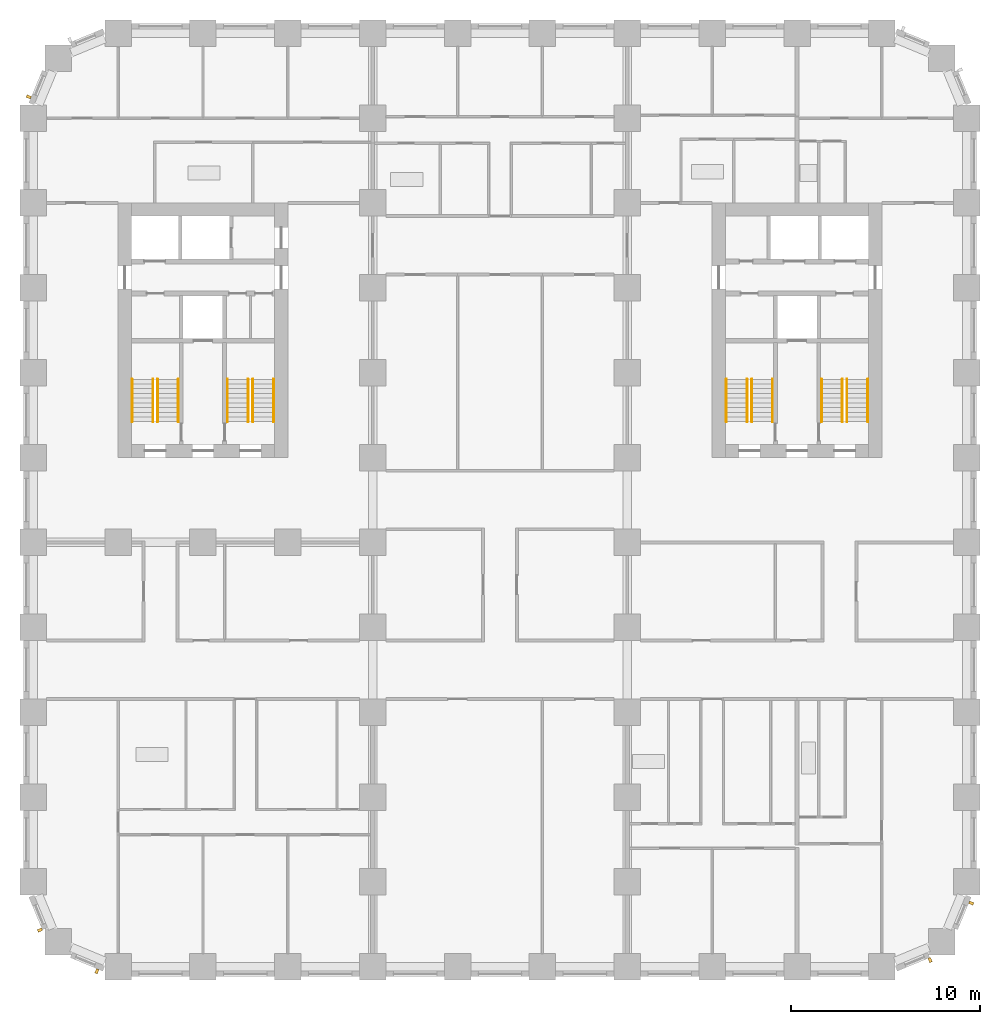
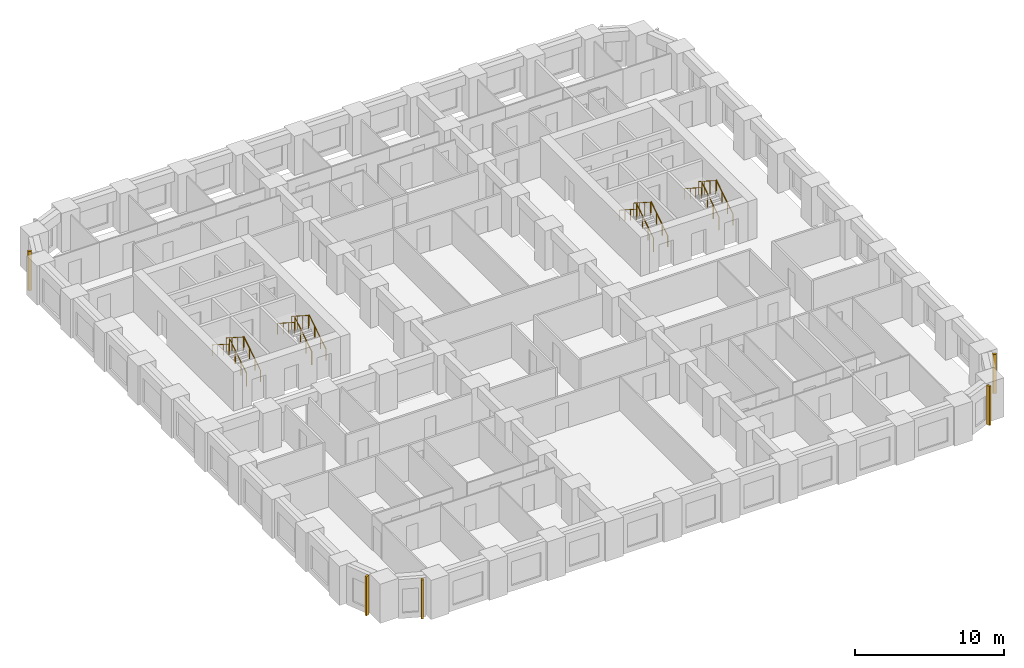
# One storey, part 11 of 13: 16 railings, 5 shading devices.
"""IFC4 building model written with IfcOpenShell, lengths in metres."""

from ifc_helpers import new_model, si_unit, direction, frame, origin, origin_2d, place, context, subcontext, project, spatial, rectangle, circle, extrude, material, type_object, element, save


model = new_model("IFC4")

# Units and contexts
model_context = context("Model", 3, precision=1e-05, world=origin(), true_north=direction((0.0, 1.0)))
body_context = subcontext(model_context, "Body", "Model", "MODEL_VIEW")
ifc_project = project(units=[si_unit("LENGTHUNIT", "METRE"), si_unit("AREAUNIT", "SQUARE_METRE"), si_unit("VOLUMEUNIT", "CUBIC_METRE"), si_unit("PLANEANGLEUNIT", "RADIAN"), si_unit("MASSUNIT", "GRAM", prefix="KILO")], contexts=[model_context])

# Site, building, storey
site_placement = place(None, origin())
site = spatial("IfcSite", under=ifc_project, at=site_placement, CompositionType="ELEMENT")
building_placement = place(site_placement, origin())
building = spatial("IfcBuilding", under=site, at=building_placement, Name="Girih Gate Residences", CompositionType="ELEMENT")
storey_placement = place(building_placement, frame((0.0, 0.0, 49.60009765625)))
storey = spatial("IfcBuildingStorey", under=building, at=storey_placement, Name="L12", CompositionType="ELEMENT", Elevation=49.60009765625)

# Shading devices
ifc_material_1 = material(Name="Precast concrete C50/60", Category="concrete")
shading_device_type = type_object("IfcShadingDeviceType", Name="Corner rib 150x250", PredefinedType="USERDEFINED", material=ifc_material_1)
for number, where, z_axis, x_axis, name in (
    (1, (0.35498046875, 1.9443359375, 0.0), (0.0, 0.0, 1.0), (0.382683432365, -0.923879532511, 0.0), "Corner rib SW0000_0045.0"),
    (2, (3.376220703125, -0.238037109375, 0.0), (0.0, 0.0, 1.0), (0.923879532511, -0.382683432365, 0.0), "Corner rib SW0013_0013.0"),
    (3, (47.5556640625, 0.35498046875, 0.0), (0.0, 0.0, 1.0), (0.923879532511, 0.382683432365, 0.0), "Corner rib SE0450_0000.0"),
    (4, (49.738037109375, 3.376220703125, 0.0), (0.0, 0.0, 1.0), (0.382683432365, 0.923879532511, 0.0), "Corner rib SE0482_0013.0"),
    (5, (-0.238037109375, 46.123779296875, 0.0), (0.0, 0.0, 1.0), (-0.382683432365, -0.923879532511, 0.0), "Corner rib NW0013_0482.0"),
):
    element("IfcShadingDevice", number, at=place(storey_placement, frame(where, z_axis=z_axis, x_axis=x_axis)), inside=storey, type_object=shading_device_type, Name=name, ObjectType="FIN", PredefinedType="USERDEFINED", context=body_context, shape_type="SweptSolid", body=[
        extrude(rectangle(XDim=0.14990234375, YDim=0.25, at=origin_2d()), origin(), (0.0, 0.0, 1.0), 3.199951171875),
    ])

# Railings
ifc_material_2 = material(Name="Stainless steel", Category="steel")
railing_type_1 = type_object("IfcRailingType", Name="Stair guard 1100", PredefinedType="GUARDRAIL", material=ifc_material_2)
railing_1_placement = place(storey_placement, frame((6.60009765625, 28.89990234375, 0.159912109375)))
element("IfcRailing", 6, at=railing_1_placement, inside=storey, type_object=railing_type_1, Name="L12 ST-W1 stair guard 1", PredefinedType="GUARDRAIL", context=body_context, shape_type="SweptSolid", body=[
    extrude(circle(Radius=0.02392578125, at=origin_2d()), frame((0.0, 0.0, 1.076171875), z_axis=(0.0, 0.842281359387, 0.539038135598), x_axis=(-1.0, 0.0, 0.0)), (0.0, 0.0, 1.0), 2.67138671875),
    extrude(circle(Radius=0.02099609375, at=origin_2d()), origin(), (0.0, 0.0, 1.0), 1.052001953125),
    extrude(circle(Radius=0.02099609375, at=origin_2d()), frame((0.0, 0.75, 0.47998046875)), (0.0, 0.0, 1.0), 1.052001953125),
    extrude(circle(Radius=0.02099609375, at=origin_2d()), frame((0.0, 1.5, 0.9599609375)), (0.0, 0.0, 1.0), 1.052001953125),
    extrude(circle(Radius=0.02099609375, at=origin_2d()), frame((0.0, 2.25, 1.43994140625)), (0.0, 0.0, 1.0), 1.052001953125),
])
railing_2_placement = place(storey_placement, frame((6.35009765625, 31.14990234375, 1.760009765625)))
element("IfcRailing", 7, at=railing_2_placement, inside=storey, type_object=railing_type_1, Name="L12 ST-W1 stair guard 2", PredefinedType="GUARDRAIL", context=body_context, shape_type="SweptSolid", body=[
    extrude(circle(Radius=0.02392578125, at=origin_2d()), frame((0.0, 0.0, 1.076171875), z_axis=(0.0, -0.842281359387, 0.539038135598), x_axis=(1.0, 0.0, 0.0)), (0.0, 0.0, 1.0), 2.67138671875),
    extrude(circle(Radius=0.02099609375, at=origin_2d()), origin(), (0.0, 0.0, 1.0), 1.052001953125),
    extrude(circle(Radius=0.02099609375, at=origin_2d()), frame((0.0, -0.75, 0.47998046875)), (0.0, 0.0, 1.0), 1.052001953125),
    extrude(circle(Radius=0.02099609375, at=origin_2d()), frame((0.0, -1.5, 0.9599609375)), (0.0, 0.0, 1.0), 1.052001953125),
    extrude(circle(Radius=0.02099609375, at=origin_2d()), frame((0.0, -2.25, 1.43994140625)), (0.0, 0.0, 1.0), 1.052001953125),
])
railing_3_placement = place(storey_placement, frame((11.64990234375, 28.89990234375, 0.159912109375)))
element("IfcRailing", 8, at=railing_3_placement, inside=storey, type_object=railing_type_1, Name="L12 ST-W2 stair guard 1", PredefinedType="GUARDRAIL", context=body_context, shape_type="SweptSolid", body=[
    extrude(circle(Radius=0.02392578125, at=origin_2d()), frame((0.0, 0.0, 1.076171875), z_axis=(0.0, 0.842281359387, 0.539038135598), x_axis=(-1.0, 0.0, 0.0)), (0.0, 0.0, 1.0), 2.67138671875),
    extrude(circle(Radius=0.02099609375, at=origin_2d()), origin(), (0.0, 0.0, 1.0), 1.052001953125),
    extrude(circle(Radius=0.02099609375, at=origin_2d()), frame((0.0, 0.75, 0.47998046875)), (0.0, 0.0, 1.0), 1.052001953125),
    extrude(circle(Radius=0.02099609375, at=origin_2d()), frame((0.0, 1.5, 0.9599609375)), (0.0, 0.0, 1.0), 1.052001953125),
    extrude(circle(Radius=0.02099609375, at=origin_2d()), frame((0.0, 2.25, 1.43994140625)), (0.0, 0.0, 1.0), 1.052001953125),
])
railing_4_placement = place(storey_placement, frame((11.39990234375, 31.14990234375, 1.760009765625)))
element("IfcRailing", 9, at=railing_4_placement, inside=storey, type_object=railing_type_1, Name="L12 ST-W2 stair guard 2", PredefinedType="GUARDRAIL", context=body_context, shape_type="SweptSolid", body=[
    extrude(circle(Radius=0.02392578125, at=origin_2d()), frame((0.0, 0.0, 1.076171875), z_axis=(0.0, -0.842281359387, 0.539038135598), x_axis=(1.0, 0.0, 0.0)), (0.0, 0.0, 1.0), 2.67138671875),
    extrude(circle(Radius=0.02099609375, at=origin_2d()), origin(), (0.0, 0.0, 1.0), 1.052001953125),
    extrude(circle(Radius=0.02099609375, at=origin_2d()), frame((0.0, -0.75, 0.47998046875)), (0.0, 0.0, 1.0), 1.052001953125),
    extrude(circle(Radius=0.02099609375, at=origin_2d()), frame((0.0, -1.5, 0.9599609375)), (0.0, 0.0, 1.0), 1.052001953125),
    extrude(circle(Radius=0.02099609375, at=origin_2d()), frame((0.0, -2.25, 1.43994140625)), (0.0, 0.0, 1.0), 1.052001953125),
])
railing_5_placement = place(storey_placement, frame((43.14990234375, 28.89990234375, 0.159912109375)))
element("IfcRailing", 10, at=railing_5_placement, inside=storey, type_object=railing_type_1, Name="L12 ST-E1 stair guard 1", PredefinedType="GUARDRAIL", context=body_context, shape_type="SweptSolid", body=[
    extrude(circle(Radius=0.02392578125, at=origin_2d()), frame((0.0, 0.0, 1.076171875), z_axis=(0.0, 0.842281359387, 0.539038135598), x_axis=(-1.0, 0.0, 0.0)), (0.0, 0.0, 1.0), 2.67138671875),
    extrude(circle(Radius=0.02099609375, at=origin_2d()), origin(), (0.0, 0.0, 1.0), 1.052001953125),
    extrude(circle(Radius=0.02099609375, at=origin_2d()), frame((0.0, 0.75, 0.47998046875)), (0.0, 0.0, 1.0), 1.052001953125),
    extrude(circle(Radius=0.02099609375, at=origin_2d()), frame((0.0, 1.5, 0.9599609375)), (0.0, 0.0, 1.0), 1.052001953125),
    extrude(circle(Radius=0.02099609375, at=origin_2d()), frame((0.0, 2.25, 1.43994140625)), (0.0, 0.0, 1.0), 1.052001953125),
])
railing_6_placement = place(storey_placement, frame((42.89990234375, 31.14990234375, 1.760009765625)))
element("IfcRailing", 11, at=railing_6_placement, inside=storey, type_object=railing_type_1, Name="L12 ST-E1 stair guard 2", PredefinedType="GUARDRAIL", context=body_context, shape_type="SweptSolid", body=[
    extrude(circle(Radius=0.02392578125, at=origin_2d()), frame((0.0, 0.0, 1.076171875), z_axis=(0.0, -0.842281359387, 0.539038135598), x_axis=(1.0, 0.0, 0.0)), (0.0, 0.0, 1.0), 2.67138671875),
    extrude(circle(Radius=0.02099609375, at=origin_2d()), origin(), (0.0, 0.0, 1.0), 1.052001953125),
    extrude(circle(Radius=0.02099609375, at=origin_2d()), frame((0.0, -0.75, 0.47998046875)), (0.0, 0.0, 1.0), 1.052001953125),
    extrude(circle(Radius=0.02099609375, at=origin_2d()), frame((0.0, -1.5, 0.9599609375)), (0.0, 0.0, 1.0), 1.052001953125),
    extrude(circle(Radius=0.02099609375, at=origin_2d()), frame((0.0, -2.25, 1.43994140625)), (0.0, 0.0, 1.0), 1.052001953125),
])
railing_7_placement = place(storey_placement, frame((38.10009765625, 28.89990234375, 0.159912109375)))
element("IfcRailing", 12, at=railing_7_placement, inside=storey, type_object=railing_type_1, Name="L12 ST-E2 stair guard 1", PredefinedType="GUARDRAIL", context=body_context, shape_type="SweptSolid", body=[
    extrude(circle(Radius=0.02392578125, at=origin_2d()), frame((0.0, 0.0, 1.076171875), z_axis=(0.0, 0.842281359387, 0.539038135598), x_axis=(-1.0, 0.0, 0.0)), (0.0, 0.0, 1.0), 2.67138671875),
    extrude(circle(Radius=0.02099609375, at=origin_2d()), origin(), (0.0, 0.0, 1.0), 1.052001953125),
    extrude(circle(Radius=0.02099609375, at=origin_2d()), frame((0.0, 0.75, 0.47998046875)), (0.0, 0.0, 1.0), 1.052001953125),
    extrude(circle(Radius=0.02099609375, at=origin_2d()), frame((0.0, 1.5, 0.9599609375)), (0.0, 0.0, 1.0), 1.052001953125),
    extrude(circle(Radius=0.02099609375, at=origin_2d()), frame((0.0, 2.25, 1.43994140625)), (0.0, 0.0, 1.0), 1.052001953125),
])
railing_8_placement = place(storey_placement, frame((37.85009765625, 31.14990234375, 1.760009765625)))
element("IfcRailing", 13, at=railing_8_placement, inside=storey, type_object=railing_type_1, Name="L12 ST-E2 stair guard 2", PredefinedType="GUARDRAIL", context=body_context, shape_type="SweptSolid", body=[
    extrude(circle(Radius=0.02392578125, at=origin_2d()), frame((0.0, 0.0, 1.076171875), z_axis=(0.0, -0.842281359387, 0.539038135598), x_axis=(1.0, 0.0, 0.0)), (0.0, 0.0, 1.0), 2.67138671875),
    extrude(circle(Radius=0.02099609375, at=origin_2d()), origin(), (0.0, 0.0, 1.0), 1.052001953125),
    extrude(circle(Radius=0.02099609375, at=origin_2d()), frame((0.0, -0.75, 0.47998046875)), (0.0, 0.0, 1.0), 1.052001953125),
    extrude(circle(Radius=0.02099609375, at=origin_2d()), frame((0.0, -1.5, 0.9599609375)), (0.0, 0.0, 1.0), 1.052001953125),
    extrude(circle(Radius=0.02099609375, at=origin_2d()), frame((0.0, -2.25, 1.43994140625)), (0.0, 0.0, 1.0), 1.052001953125),
])
railing_type_2 = type_object("IfcRailingType", Name="Stair handrail 900", PredefinedType="HANDRAIL", material=ifc_material_2)
railing_9_placement = place(storey_placement, frame((7.699951171875, 28.89990234375, 0.159912109375)))
element("IfcRailing", 14, at=railing_9_placement, inside=storey, type_object=railing_type_2, Name="L12 ST-W1 stair handrail 1", PredefinedType="HANDRAIL", context=body_context, shape_type="SweptSolid", body=[
    extrude(circle(Radius=0.02392578125, at=origin_2d()), frame((0.0, 0.0, 0.8857421875), z_axis=(0.0, 0.842281359387, 0.539038135598), x_axis=(-1.0, 0.0, 0.0)), (0.0, 0.0, 1.0), 2.67138671875),
    extrude(circle(Radius=0.02099609375, at=origin_2d()), origin(), (0.0, 0.0, 1.0), 0.86181640625),
    extrude(circle(Radius=0.02099609375, at=origin_2d()), frame((0.0, 0.75, 0.47998046875)), (0.0, 0.0, 1.0), 0.86181640625),
    extrude(circle(Radius=0.02099609375, at=origin_2d()), frame((0.0, 1.5, 0.9599609375)), (0.0, 0.0, 1.0), 0.86181640625),
    extrude(circle(Radius=0.02099609375, at=origin_2d()), frame((0.0, 2.25, 1.43994140625)), (0.0, 0.0, 1.0), 0.86181640625),
])
railing_10_placement = place(storey_placement, frame((5.25, 31.14990234375, 1.760009765625)))
element("IfcRailing", 15, at=railing_10_placement, inside=storey, type_object=railing_type_2, Name="L12 ST-W1 stair handrail 2", PredefinedType="HANDRAIL", context=body_context, shape_type="SweptSolid", body=[
    extrude(circle(Radius=0.02392578125, at=origin_2d()), frame((0.0, 0.0, 0.8857421875), z_axis=(0.0, -0.842281359387, 0.539038135598), x_axis=(1.0, 0.0, 0.0)), (0.0, 0.0, 1.0), 2.67138671875),
    extrude(circle(Radius=0.02099609375, at=origin_2d()), origin(), (0.0, 0.0, 1.0), 0.86181640625),
    extrude(circle(Radius=0.02099609375, at=origin_2d()), frame((0.0, -0.75, 0.47998046875)), (0.0, 0.0, 1.0), 0.86181640625),
    extrude(circle(Radius=0.02099609375, at=origin_2d()), frame((0.0, -1.5, 0.9599609375)), (0.0, 0.0, 1.0), 0.86181640625),
    extrude(circle(Radius=0.02099609375, at=origin_2d()), frame((0.0, -2.25, 1.43994140625)), (0.0, 0.0, 1.0), 0.86181640625),
])
railing_11_placement = place(storey_placement, frame((12.75, 28.89990234375, 0.159912109375)))
element("IfcRailing", 16, at=railing_11_placement, inside=storey, type_object=railing_type_2, Name="L12 ST-W2 stair handrail 1", PredefinedType="HANDRAIL", context=body_context, shape_type="SweptSolid", body=[
    extrude(circle(Radius=0.02392578125, at=origin_2d()), frame((0.0, 0.0, 0.8857421875), z_axis=(0.0, 0.842281359387, 0.539038135598), x_axis=(-1.0, 0.0, 0.0)), (0.0, 0.0, 1.0), 2.67138671875),
    extrude(circle(Radius=0.02099609375, at=origin_2d()), origin(), (0.0, 0.0, 1.0), 0.86181640625),
    extrude(circle(Radius=0.02099609375, at=origin_2d()), frame((0.0, 0.75, 0.47998046875)), (0.0, 0.0, 1.0), 0.86181640625),
    extrude(circle(Radius=0.02099609375, at=origin_2d()), frame((0.0, 1.5, 0.9599609375)), (0.0, 0.0, 1.0), 0.86181640625),
    extrude(circle(Radius=0.02099609375, at=origin_2d()), frame((0.0, 2.25, 1.43994140625)), (0.0, 0.0, 1.0), 0.86181640625),
])
railing_12_placement = place(storey_placement, frame((10.300048828125, 31.14990234375, 1.760009765625)))
element("IfcRailing", 17, at=railing_12_placement, inside=storey, type_object=railing_type_2, Name="L12 ST-W2 stair handrail 2", PredefinedType="HANDRAIL", context=body_context, shape_type="SweptSolid", body=[
    extrude(circle(Radius=0.02392578125, at=origin_2d()), frame((0.0, 0.0, 0.8857421875), z_axis=(0.0, -0.842281359387, 0.539038135598), x_axis=(1.0, 0.0, 0.0)), (0.0, 0.0, 1.0), 2.67138671875),
    extrude(circle(Radius=0.02099609375, at=origin_2d()), origin(), (0.0, 0.0, 1.0), 0.86181640625),
    extrude(circle(Radius=0.02099609375, at=origin_2d()), frame((0.0, -0.75, 0.47998046875)), (0.0, 0.0, 1.0), 0.86181640625),
    extrude(circle(Radius=0.02099609375, at=origin_2d()), frame((0.0, -1.5, 0.9599609375)), (0.0, 0.0, 1.0), 0.86181640625),
    extrude(circle(Radius=0.02099609375, at=origin_2d()), frame((0.0, -2.25, 1.43994140625)), (0.0, 0.0, 1.0), 0.86181640625),
])
railing_13_placement = place(storey_placement, frame((44.25, 28.89990234375, 0.159912109375)))
element("IfcRailing", 18, at=railing_13_placement, inside=storey, type_object=railing_type_2, Name="L12 ST-E1 stair handrail 1", PredefinedType="HANDRAIL", context=body_context, shape_type="SweptSolid", body=[
    extrude(circle(Radius=0.02392578125, at=origin_2d()), frame((0.0, 0.0, 0.8857421875), z_axis=(0.0, 0.842281359387, 0.539038135598), x_axis=(-1.0, 0.0, 0.0)), (0.0, 0.0, 1.0), 2.67138671875),
    extrude(circle(Radius=0.02099609375, at=origin_2d()), origin(), (0.0, 0.0, 1.0), 0.86181640625),
    extrude(circle(Radius=0.02099609375, at=origin_2d()), frame((0.0, 0.75, 0.47998046875)), (0.0, 0.0, 1.0), 0.86181640625),
    extrude(circle(Radius=0.02099609375, at=origin_2d()), frame((0.0, 1.5, 0.9599609375)), (0.0, 0.0, 1.0), 0.86181640625),
    extrude(circle(Radius=0.02099609375, at=origin_2d()), frame((0.0, 2.25, 1.43994140625)), (0.0, 0.0, 1.0), 0.86181640625),
])
railing_14_placement = place(storey_placement, frame((41.800048828125, 31.14990234375, 1.760009765625)))
element("IfcRailing", 19, at=railing_14_placement, inside=storey, type_object=railing_type_2, Name="L12 ST-E1 stair handrail 2", PredefinedType="HANDRAIL", context=body_context, shape_type="SweptSolid", body=[
    extrude(circle(Radius=0.02392578125, at=origin_2d()), frame((0.0, 0.0, 0.8857421875), z_axis=(0.0, -0.842281359387, 0.539038135598), x_axis=(1.0, 0.0, 0.0)), (0.0, 0.0, 1.0), 2.67138671875),
    extrude(circle(Radius=0.02099609375, at=origin_2d()), origin(), (0.0, 0.0, 1.0), 0.86181640625),
    extrude(circle(Radius=0.02099609375, at=origin_2d()), frame((0.0, -0.75, 0.47998046875)), (0.0, 0.0, 1.0), 0.86181640625),
    extrude(circle(Radius=0.02099609375, at=origin_2d()), frame((0.0, -1.5, 0.9599609375)), (0.0, 0.0, 1.0), 0.86181640625),
    extrude(circle(Radius=0.02099609375, at=origin_2d()), frame((0.0, -2.25, 1.43994140625)), (0.0, 0.0, 1.0), 0.86181640625),
])
railing_15_placement = place(storey_placement, frame((39.199951171875, 28.89990234375, 0.159912109375)))
element("IfcRailing", 20, at=railing_15_placement, inside=storey, type_object=railing_type_2, Name="L12 ST-E2 stair handrail 1", PredefinedType="HANDRAIL", context=body_context, shape_type="SweptSolid", body=[
    extrude(circle(Radius=0.02392578125, at=origin_2d()), frame((0.0, 0.0, 0.8857421875), z_axis=(0.0, 0.842281359387, 0.539038135598), x_axis=(-1.0, 0.0, 0.0)), (0.0, 0.0, 1.0), 2.67138671875),
    extrude(circle(Radius=0.02099609375, at=origin_2d()), origin(), (0.0, 0.0, 1.0), 0.86181640625),
    extrude(circle(Radius=0.02099609375, at=origin_2d()), frame((0.0, 0.75, 0.47998046875)), (0.0, 0.0, 1.0), 0.86181640625),
    extrude(circle(Radius=0.02099609375, at=origin_2d()), frame((0.0, 1.5, 0.9599609375)), (0.0, 0.0, 1.0), 0.86181640625),
    extrude(circle(Radius=0.02099609375, at=origin_2d()), frame((0.0, 2.25, 1.43994140625)), (0.0, 0.0, 1.0), 0.86181640625),
])
railing_16_placement = place(storey_placement, frame((36.75, 31.14990234375, 1.760009765625)))
element("IfcRailing", 21, at=railing_16_placement, inside=storey, type_object=railing_type_2, Name="L12 ST-E2 stair handrail 2", PredefinedType="HANDRAIL", context=body_context, shape_type="SweptSolid", body=[
    extrude(circle(Radius=0.02392578125, at=origin_2d()), frame((0.0, 0.0, 0.8857421875), z_axis=(0.0, -0.842281359387, 0.539038135598), x_axis=(1.0, 0.0, 0.0)), (0.0, 0.0, 1.0), 2.67138671875),
    extrude(circle(Radius=0.02099609375, at=origin_2d()), origin(), (0.0, 0.0, 1.0), 0.86181640625),
    extrude(circle(Radius=0.02099609375, at=origin_2d()), frame((0.0, -0.75, 0.47998046875)), (0.0, 0.0, 1.0), 0.86181640625),
    extrude(circle(Radius=0.02099609375, at=origin_2d()), frame((0.0, -1.5, 0.9599609375)), (0.0, 0.0, 1.0), 0.86181640625),
    extrude(circle(Radius=0.02099609375, at=origin_2d()), frame((0.0, -2.25, 1.43994140625)), (0.0, 0.0, 1.0), 0.86181640625),
])

save(model, "model.ifc")
